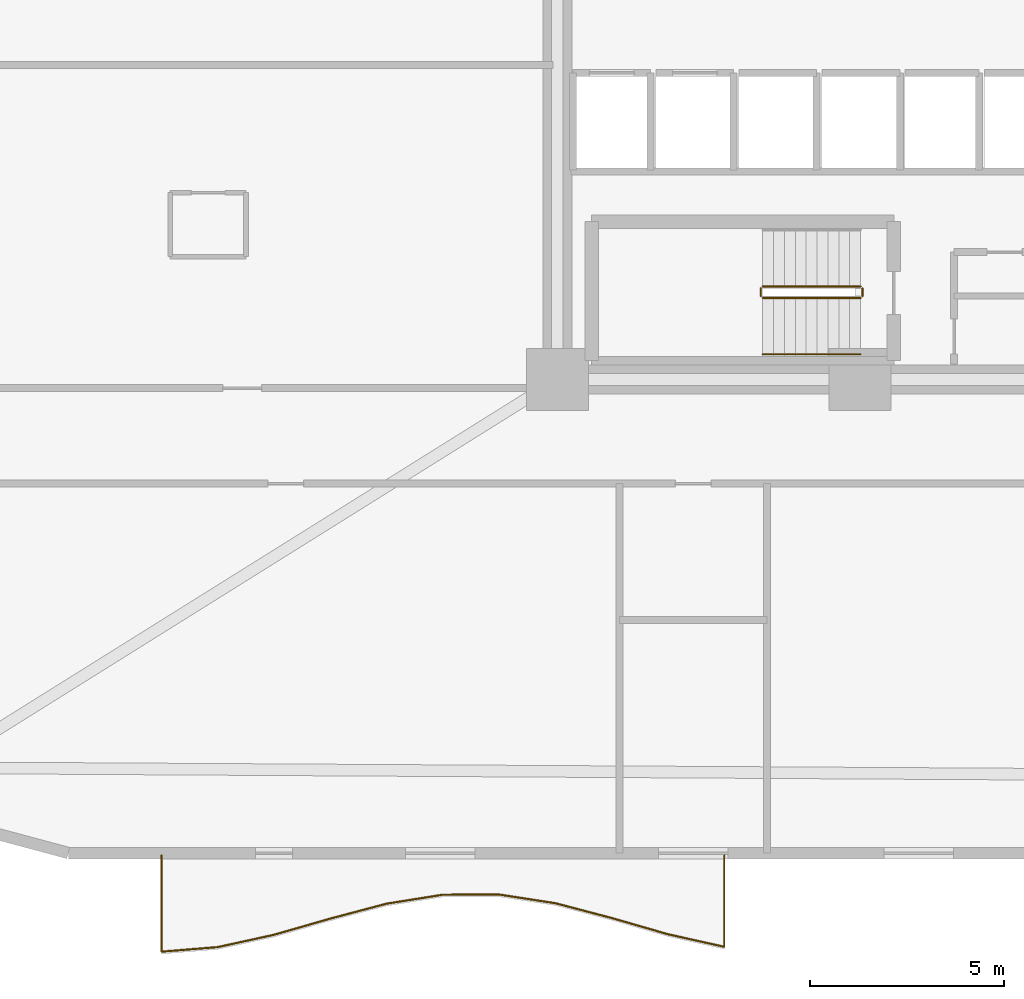
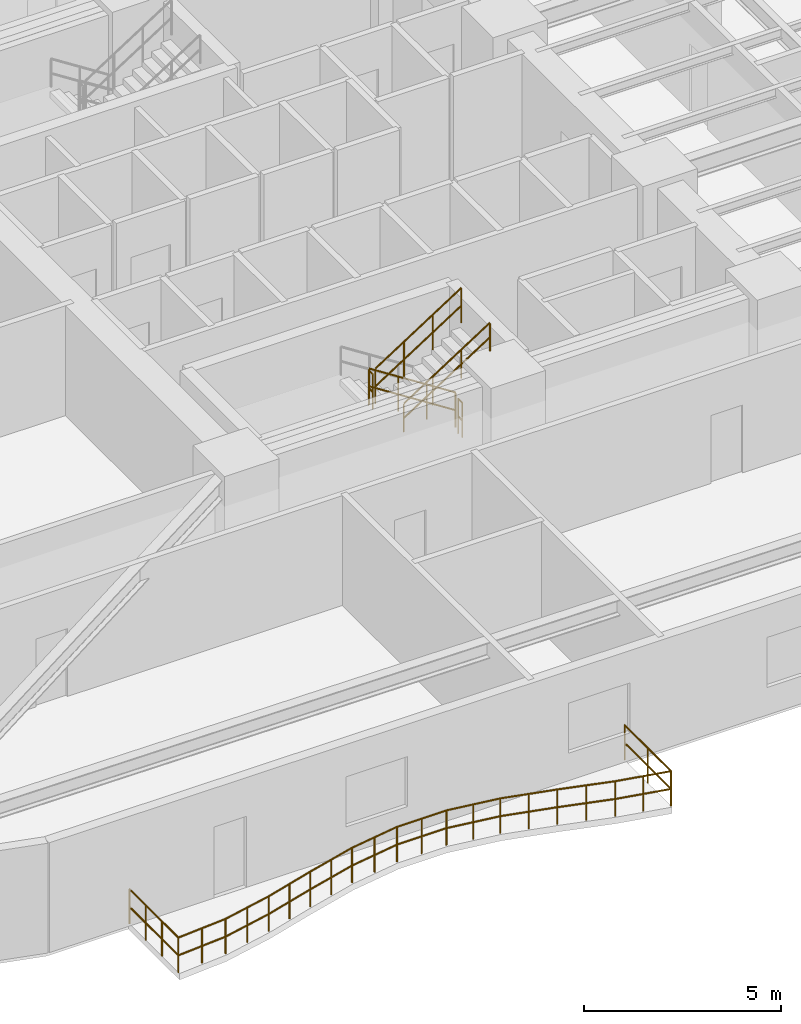
# One storey, part 14 of 16: 6 railings.
"""IFC4 building model written with IfcOpenShell, lengths in metres."""

from ifc_helpers import new_model, si_unit, direction, frame, origin, origin_2d, place, context, subcontext, project, spatial, circle, extrude, material, type_object, element, save


model = new_model("IFC4")

# Units and contexts
model_context = context("Model", 3, precision=1e-05, world=origin(), true_north=direction((0.0, 1.0)))
body_context = subcontext(model_context, "Body", "Model", "MODEL_VIEW")
ifc_project = project(units=[si_unit("LENGTHUNIT", "METRE"), si_unit("AREAUNIT", "SQUARE_METRE"), si_unit("VOLUMEUNIT", "CUBIC_METRE"), si_unit("PLANEANGLEUNIT", "RADIAN"), si_unit("MASSUNIT", "GRAM", prefix="KILO")], contexts=[model_context])

# Site, building, storey
site_placement = place(None, origin())
site = spatial("IfcSite", under=ifc_project, at=site_placement, CompositionType="ELEMENT")
building_placement = place(site_placement, origin())
building = spatial("IfcBuilding", under=site, at=building_placement, Name="An Khanh Terracotta Commons", CompositionType="ELEMENT")
storey_placement = place(building_placement, frame((0.0, 0.0, 39.60009765625)))
storey = spatial("IfcBuildingStorey", under=building, at=storey_placement, Name="L10", CompositionType="ELEMENT", Elevation=39.60009765625)

# Railings
ifc_material_1 = material(Name="Brushed Stainless Steel 316", Category="steel")
railing_type_1 = type_object("IfcRailingType", Name="RAIL-BALUSTRADE-1100", PredefinedType="BALUSTRADE", material=ifc_material_1)
railing_1_placement = place(storey_placement, frame((11.39990234375, 2.139892578125, 0.0)))
element("IfcRailing", 1, at=railing_1_placement, inside=storey, type_object=railing_type_1, Name="L10 S Wave Balcony Guard Balustrade", PredefinedType="BALUSTRADE", context=body_context, shape_type="SweptSolid", body=[
    extrude(circle(Radius=0.02392578125, at=origin_2d()), frame((0.0, 0.0, 1.076171875), z_axis=(0.0, -1.0, 0.0), x_axis=(1.0, 0.0, 0.0)), (0.0, 0.0, 1.0), 2.47998046875),
    extrude(circle(Radius=0.02392578125, at=origin_2d()), frame((0.0, 0.0, 0.52587890625), z_axis=(0.0, -1.0, 0.0), x_axis=(1.0, 0.0, 0.0)), (0.0, 0.0, 1.0), 2.47998046875),
    extrude(circle(Radius=0.02392578125, at=origin_2d()), frame((0.0, -2.47998046875, 1.076171875), z_axis=(0.996696822936, 0.081212333721, 0.0), x_axis=(-0.081212333721, 0.996696822936, 0.0)), (0.0, 0.0, 1.0), 1.455078125),
    extrude(circle(Radius=0.02392578125, at=origin_2d()), frame((0.0, -2.47998046875, 0.52587890625), z_axis=(0.996696822936, 0.081212333721, 0.0), x_axis=(-0.081212333721, 0.996696822936, 0.0)), (0.0, 0.0, 1.0), 1.455078125),
    extrude(circle(Radius=0.02392578125, at=origin_2d()), frame((1.4501953125, -2.36181640625, 1.076171875), z_axis=(0.976802274236, 0.214143216207, 0.0), x_axis=(-0.214143216207, 0.976802274236, 0.0)), (0.0, 0.0, 1.0), 1.484375),
    extrude(circle(Radius=0.02392578125, at=origin_2d()), frame((1.4501953125, -2.36181640625, 0.52587890625), z_axis=(0.976802274236, 0.214143216207, 0.0), x_axis=(-0.214143216207, 0.976802274236, 0.0)), (0.0, 0.0, 1.0), 1.484375),
    extrude(circle(Radius=0.02392578125, at=origin_2d()), frame((2.900146484375, -2.0439453125, 1.076171875), z_axis=(0.961046203514, 0.276387761509, 0.0), x_axis=(-0.276387761509, 0.961046203514, 0.0)), (0.0, 0.0, 1.0), 1.5087890625),
    extrude(circle(Radius=0.02392578125, at=origin_2d()), frame((2.900146484375, -2.0439453125, 0.52587890625), z_axis=(0.961046203514, 0.276387761509, 0.0), x_axis=(-0.276387761509, 0.961046203514, 0.0)), (0.0, 0.0, 1.0), 1.5087890625),
    extrude(circle(Radius=0.02392578125, at=origin_2d()), frame((4.35009765625, -1.626953125, 1.076171875), z_axis=(0.966668506699, 0.256031244492, 0.0), x_axis=(-0.256031244492, 0.966668506699, 0.0)), (0.0, 0.0, 1.0), 1.5),
    extrude(circle(Radius=0.02392578125, at=origin_2d()), frame((4.35009765625, -1.626953125, 0.52587890625), z_axis=(0.966668506699, 0.256031244492, 0.0), x_axis=(-0.256031244492, 0.966668506699, 0.0)), (0.0, 0.0, 1.0), 1.5),
    extrude(circle(Radius=0.02392578125, at=origin_2d()), frame((5.800048828125, -1.242919921875, 1.076171875), z_axis=(0.987550382768, 0.157303024431, 0.0), x_axis=(-0.157303024431, 0.987550382768, 0.0)), (0.0, 0.0, 1.0), 1.46826171875),
    extrude(circle(Radius=0.02392578125, at=origin_2d()), frame((5.800048828125, -1.242919921875, 0.52587890625), z_axis=(0.987550382768, 0.157303024431, 0.0), x_axis=(-0.157303024431, 0.987550382768, 0.0)), (0.0, 0.0, 1.0), 1.46826171875),
    extrude(circle(Radius=0.02392578125, at=origin_2d()), frame((7.25, -1.011962890625, 1.076171875), z_axis=(0.999995904638, 0.002861941141, 0.0), x_axis=(-0.002861941141, 0.999995904638, 0.0)), (0.0, 0.0, 1.0), 1.4501953125),
    extrude(circle(Radius=0.02392578125, at=origin_2d()), frame((7.25, -1.011962890625, 0.52587890625), z_axis=(0.999995904638, 0.002861941141, 0.0), x_axis=(-0.002861941141, 0.999995904638, 0.0)), (0.0, 0.0, 1.0), 1.4501953125),
    extrude(circle(Radius=0.02392578125, at=origin_2d()), frame((8.7001953125, -1.0078125, 1.076171875), z_axis=(0.988263720894, -0.152757382687, 0.0), x_axis=(0.152757382687, 0.988263720894, 0.0)), (0.0, 0.0, 1.0), 1.46728515625),
    extrude(circle(Radius=0.02392578125, at=origin_2d()), frame((8.7001953125, -1.0078125, 0.52587890625), z_axis=(0.988263720894, -0.152757382687, 0.0), x_axis=(0.152757382687, 0.988263720894, 0.0)), (0.0, 0.0, 1.0), 1.46728515625),
    extrude(circle(Radius=0.02392578125, at=origin_2d()), frame((10.150146484375, -1.23193359375, 1.076171875), z_axis=(0.967190459757, -0.254052385456, 0.0), x_axis=(0.254052385456, 0.967190459757, 0.0)), (0.0, 0.0, 1.0), 1.4990234375),
    extrude(circle(Radius=0.02392578125, at=origin_2d()), frame((10.150146484375, -1.23193359375, 0.52587890625), z_axis=(0.967190459757, -0.254052385456, 0.0), x_axis=(0.254052385456, 0.967190459757, 0.0)), (0.0, 0.0, 1.0), 1.4990234375),
    extrude(circle(Radius=0.02392578125, at=origin_2d()), frame((11.60009765625, -1.61279296875, 1.076171875), z_axis=(0.960831047558, -0.277134801223, 0.0), x_axis=(0.277134801223, 0.960831047558, 0.0)), (0.0, 0.0, 1.0), 1.509033203125),
    extrude(circle(Radius=0.02392578125, at=origin_2d()), frame((11.60009765625, -1.61279296875, 0.52587890625), z_axis=(0.960831047558, -0.277134801223, 0.0), x_axis=(0.277134801223, 0.960831047558, 0.0)), (0.0, 0.0, 1.0), 1.509033203125),
    extrude(circle(Radius=0.02392578125, at=origin_2d()), frame((13.050048828125, -2.031005859375, 1.076171875), z_axis=(0.97607478502, -0.217435080078, 0.0), x_axis=(0.217435080078, 0.97607478502, 0.0)), (0.0, 0.0, 1.0), 1.485595703125),
    extrude(circle(Radius=0.02392578125, at=origin_2d()), frame((13.050048828125, -2.031005859375, 0.52587890625), z_axis=(0.97607478502, -0.217435080078, 0.0), x_axis=(0.217435080078, 0.97607478502, 0.0)), (0.0, 0.0, 1.0), 1.485595703125),
    extrude(circle(Radius=0.02392578125, at=origin_2d()), frame((14.5, -2.35400390625, 1.076171875), z_axis=(0.0, 1.0, 0.0), x_axis=(-1.0, 0.0, 0.0)), (0.0, 0.0, 1.0), 2.35400390625),
    extrude(circle(Radius=0.02392578125, at=origin_2d()), frame((14.5, -2.35400390625, 0.52587890625), z_axis=(0.0, 1.0, 0.0), x_axis=(-1.0, 0.0, 0.0)), (0.0, 0.0, 1.0), 2.35400390625),
    extrude(circle(Radius=0.02099609375, at=origin_2d()), origin(), (0.0, 0.0, 1.0), 1.052001953125),
    extrude(circle(Radius=0.02099609375, at=origin_2d()), frame((0.0, -0.82666015625, 0.0)), (0.0, 0.0, 1.0), 1.052001953125),
    extrude(circle(Radius=0.02099609375, at=origin_2d()), frame((0.0, -1.6533203125, 0.0)), (0.0, 0.0, 1.0), 1.052001953125),
    extrude(circle(Radius=0.02099609375, at=origin_2d()), frame((0.0, -2.47998046875, 0.0)), (0.0, 0.0, 1.0), 1.052001953125),
    extrude(circle(Radius=0.02099609375, at=origin_2d()), frame((0.72509765625, -2.4208984375, 0.0)), (0.0, 0.0, 1.0), 1.052001953125),
    extrude(circle(Radius=0.02099609375, at=origin_2d()), frame((1.4501953125, -2.36181640625, 0.0)), (0.0, 0.0, 1.0), 1.052001953125),
    extrude(circle(Radius=0.02099609375, at=origin_2d()), frame((2.17529296875, -2.202880859375, 0.0)), (0.0, 0.0, 1.0), 1.052001953125),
    extrude(circle(Radius=0.02099609375, at=origin_2d()), frame((2.900146484375, -2.0439453125, 0.0)), (0.0, 0.0, 1.0), 1.052001953125),
    extrude(circle(Radius=0.02099609375, at=origin_2d()), frame((3.625, -1.83544921875, 0.0)), (0.0, 0.0, 1.0), 1.052001953125),
    extrude(circle(Radius=0.02099609375, at=origin_2d()), frame((4.35009765625, -1.626953125, 0.0)), (0.0, 0.0, 1.0), 1.052001953125),
    extrude(circle(Radius=0.02099609375, at=origin_2d()), frame((5.0751953125, -1.43505859375, 0.0)), (0.0, 0.0, 1.0), 1.052001953125),
    extrude(circle(Radius=0.02099609375, at=origin_2d()), frame((5.800048828125, -1.242919921875, 0.0)), (0.0, 0.0, 1.0), 1.052001953125),
    extrude(circle(Radius=0.02099609375, at=origin_2d()), frame((6.52490234375, -1.12744140625, 0.0)), (0.0, 0.0, 1.0), 1.052001953125),
    extrude(circle(Radius=0.02099609375, at=origin_2d()), frame((7.25, -1.011962890625, 0.0)), (0.0, 0.0, 1.0), 1.052001953125),
    extrude(circle(Radius=0.02099609375, at=origin_2d()), frame((7.97509765625, -1.009765625, 0.0)), (0.0, 0.0, 1.0), 1.052001953125),
    extrude(circle(Radius=0.02099609375, at=origin_2d()), frame((8.7001953125, -1.0078125, 0.0)), (0.0, 0.0, 1.0), 1.052001953125),
    extrude(circle(Radius=0.02099609375, at=origin_2d()), frame((9.42529296875, -1.119873046875, 0.0)), (0.0, 0.0, 1.0), 1.052001953125),
    extrude(circle(Radius=0.02099609375, at=origin_2d()), frame((10.150146484375, -1.23193359375, 0.0)), (0.0, 0.0, 1.0), 1.052001953125),
    extrude(circle(Radius=0.02099609375, at=origin_2d()), frame((10.875, -1.42236328125, 0.0)), (0.0, 0.0, 1.0), 1.052001953125),
    extrude(circle(Radius=0.02099609375, at=origin_2d()), frame((11.60009765625, -1.61279296875, 0.0)), (0.0, 0.0, 1.0), 1.052001953125),
    extrude(circle(Radius=0.02099609375, at=origin_2d()), frame((12.3251953125, -1.82177734375, 0.0)), (0.0, 0.0, 1.0), 1.052001953125),
    extrude(circle(Radius=0.02099609375, at=origin_2d()), frame((13.050048828125, -2.031005859375, 0.0)), (0.0, 0.0, 1.0), 1.052001953125),
    extrude(circle(Radius=0.02099609375, at=origin_2d()), frame((13.77490234375, -2.1923828125, 0.0)), (0.0, 0.0, 1.0), 1.052001953125),
    extrude(circle(Radius=0.02099609375, at=origin_2d()), frame((14.5, -2.35400390625, 0.0)), (0.0, 0.0, 1.0), 1.052001953125),
    extrude(circle(Radius=0.02099609375, at=origin_2d()), frame((14.5, -1.177001953125, 0.0)), (0.0, 0.0, 1.0), 1.052001953125),
    extrude(circle(Radius=0.02099609375, at=origin_2d()), frame((14.5, 0.0, 0.0)), (0.0, 0.0, 1.0), 1.052001953125),
])
railing_type_2 = type_object("IfcRailingType", Name="RAIL-HANDRAIL-900", PredefinedType="HANDRAIL", material=ifc_material_1)
railing_2_placement = place(storey_placement, frame((26.889892578125, 15.050048828125, 1.97998046875)))
element("IfcRailing", 2, at=railing_2_placement, inside=storey, type_object=railing_type_2, Name="L10 ST-02 stair handrail 2", PredefinedType="HANDRAIL", context=body_context, shape_type="SweptSolid", body=[
    extrude(circle(Radius=0.02392578125, at=origin_2d()), frame((0.0, 0.0, 0.8759765625), z_axis=(0.841199657755, 0.0, 0.540724639528), x_axis=(0.0, 1.0, 0.0)), (0.0, 0.0, 1.0), 2.995849609375),
    extrude(circle(Radius=0.02392578125, at=origin_2d()), frame((0.0, 0.0, 0.42578125), z_axis=(0.841199657755, 0.0, 0.540724639528), x_axis=(0.0, 1.0, 0.0)), (0.0, 0.0, 1.0), 2.995849609375),
    extrude(circle(Radius=0.02099609375, at=origin_2d()), origin(), (0.0, 0.0, 1.0), 0.851806640625),
    extrude(circle(Radius=0.02099609375, at=origin_2d()), frame((0.840087890625, 0.0, 0.5400390625)), (0.0, 0.0, 1.0), 0.851806640625),
    extrude(circle(Radius=0.02099609375, at=origin_2d()), frame((1.679931640625, 0.0, 1.079833984375)), (0.0, 0.0, 1.0), 0.851806640625),
    extrude(circle(Radius=0.02099609375, at=origin_2d()), frame((2.52001953125, 0.0, 1.619873046875)), (0.0, 0.0, 1.0), 0.851806640625),
])
ifc_material_2 = material(Name="Powder-Coated Steel S355J2", Category="steel")
railing_type_3 = type_object("IfcRailingType", Name="RAIL-STAIR-GUARD-1100", PredefinedType="BALUSTRADE", material=ifc_material_2)
railing_3_placement = place(storey_placement, frame((29.409912109375, 16.800048828125, 0.179931640625)))
element("IfcRailing", 3, at=railing_3_placement, inside=storey, type_object=railing_type_3, Name="L10 ST-02 stair guard 1", PredefinedType="BALUSTRADE", context=body_context, shape_type="SweptSolid", body=[
    extrude(circle(Radius=0.02392578125, at=origin_2d()), frame((0.0, 0.0, 1.076171875), z_axis=(-0.841199657755, 0.0, 0.540724639528), x_axis=(0.0, -1.0, 0.0)), (0.0, 0.0, 1.0), 2.995849609375),
    extrude(circle(Radius=0.02392578125, at=origin_2d()), frame((0.0, 0.0, 0.52587890625), z_axis=(-0.841199657755, 0.0, 0.540724639528), x_axis=(0.0, -1.0, 0.0)), (0.0, 0.0, 1.0), 2.995849609375),
    extrude(circle(Radius=0.02099609375, at=origin_2d()), origin(), (0.0, 0.0, 1.0), 1.052001953125),
    extrude(circle(Radius=0.02099609375, at=origin_2d()), frame((-0.840087890625, 0.0, 0.5400390625)), (0.0, 0.0, 1.0), 1.052001953125),
    extrude(circle(Radius=0.02099609375, at=origin_2d()), frame((-1.679931640625, 0.0, 1.079833984375)), (0.0, 0.0, 1.0), 1.052001953125),
    extrude(circle(Radius=0.02099609375, at=origin_2d()), frame((-2.52001953125, 0.0, 1.619873046875)), (0.0, 0.0, 1.0), 1.052001953125),
])
railing_4_placement = place(storey_placement, frame((26.840087890625, 16.75, 1.7998046875)))
element("IfcRailing", 4, at=railing_4_placement, inside=storey, type_object=railing_type_3, Name="L10 ST-02 stair guard 2", PredefinedType="BALUSTRADE", context=body_context, shape_type="SweptSolid", body=[
    extrude(circle(Radius=0.02392578125, at=origin_2d()), frame((0.0, 0.0, 1.076171875), z_axis=(0.0, -1.0, 0.0), x_axis=(1.0, 0.0, 0.0)), (0.0, 0.0, 1.0), 0.199951171875),
    extrude(circle(Radius=0.02392578125, at=origin_2d()), frame((0.0, 0.0, 0.52587890625), z_axis=(0.0, -1.0, 0.0), x_axis=(1.0, 0.0, 0.0)), (0.0, 0.0, 1.0), 0.199951171875),
    extrude(circle(Radius=0.02099609375, at=origin_2d()), origin(), (0.0, 0.0, 1.0), 1.052001953125),
    extrude(circle(Radius=0.02099609375, at=origin_2d()), frame((0.0, -0.199951171875, 0.0)), (0.0, 0.0, 1.0), 1.052001953125),
])
railing_5_placement = place(storey_placement, frame((26.889892578125, 16.5, 1.97998046875)))
element("IfcRailing", 5, at=railing_5_placement, inside=storey, type_object=railing_type_3, Name="L10 ST-02 stair guard 3", PredefinedType="BALUSTRADE", context=body_context, shape_type="SweptSolid", body=[
    extrude(circle(Radius=0.02392578125, at=origin_2d()), frame((0.0, 0.0, 1.076171875), z_axis=(0.841199657755, 0.0, 0.540724639528), x_axis=(0.0, 1.0, 0.0)), (0.0, 0.0, 1.0), 2.995849609375),
    extrude(circle(Radius=0.02392578125, at=origin_2d()), frame((0.0, 0.0, 0.52587890625), z_axis=(0.841199657755, 0.0, 0.540724639528), x_axis=(0.0, 1.0, 0.0)), (0.0, 0.0, 1.0), 2.995849609375),
    extrude(circle(Radius=0.02099609375, at=origin_2d()), origin(), (0.0, 0.0, 1.0), 1.052001953125),
    extrude(circle(Radius=0.02099609375, at=origin_2d()), frame((0.840087890625, 0.0, 0.5400390625)), (0.0, 0.0, 1.0), 1.052001953125),
    extrude(circle(Radius=0.02099609375, at=origin_2d()), frame((1.679931640625, 0.0, 1.079833984375)), (0.0, 0.0, 1.0), 1.052001953125),
    extrude(circle(Radius=0.02099609375, at=origin_2d()), frame((2.52001953125, 0.0, 1.619873046875)), (0.0, 0.0, 1.0), 1.052001953125),
])
railing_6_placement = place(storey_placement, frame((29.4599609375, 16.75, 0.0)))
element("IfcRailing", 6, at=railing_6_placement, inside=storey, type_object=railing_type_3, Name="L10 ST-02 stair guard 4", PredefinedType="BALUSTRADE", context=body_context, shape_type="SweptSolid", body=[
    extrude(circle(Radius=0.02392578125, at=origin_2d()), frame((0.0, 0.0, 1.076171875), z_axis=(0.0, -1.0, 0.0), x_axis=(1.0, 0.0, 0.0)), (0.0, 0.0, 1.0), 0.199951171875),
    extrude(circle(Radius=0.02392578125, at=origin_2d()), frame((0.0, 0.0, 0.52587890625), z_axis=(0.0, -1.0, 0.0), x_axis=(1.0, 0.0, 0.0)), (0.0, 0.0, 1.0), 0.199951171875),
    extrude(circle(Radius=0.02099609375, at=origin_2d()), origin(), (0.0, 0.0, 1.0), 1.052001953125),
    extrude(circle(Radius=0.02099609375, at=origin_2d()), frame((0.0, -0.199951171875, 0.0)), (0.0, 0.0, 1.0), 1.052001953125),
])

save(model, "model.ifc")
